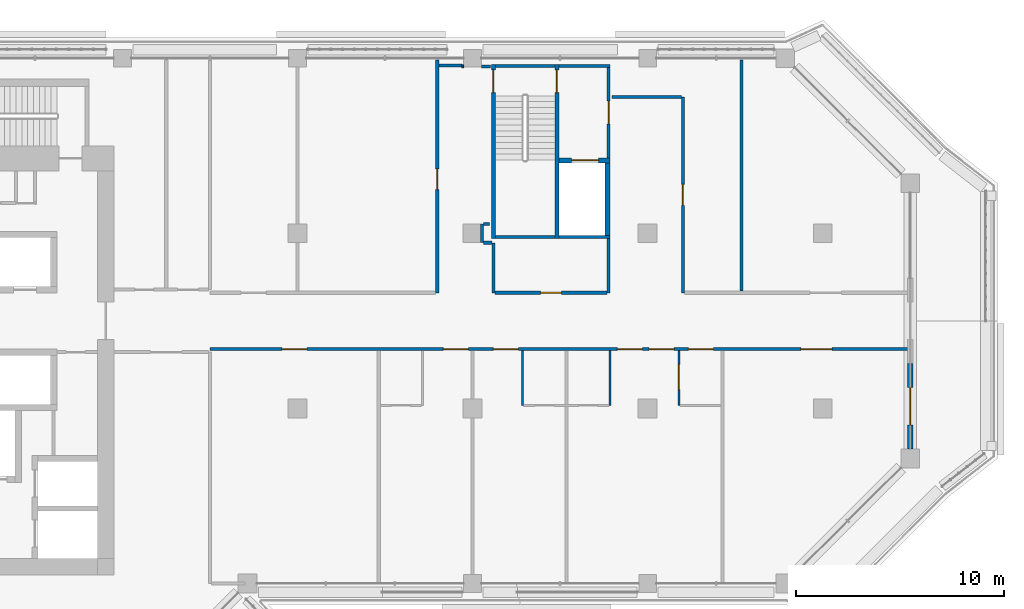
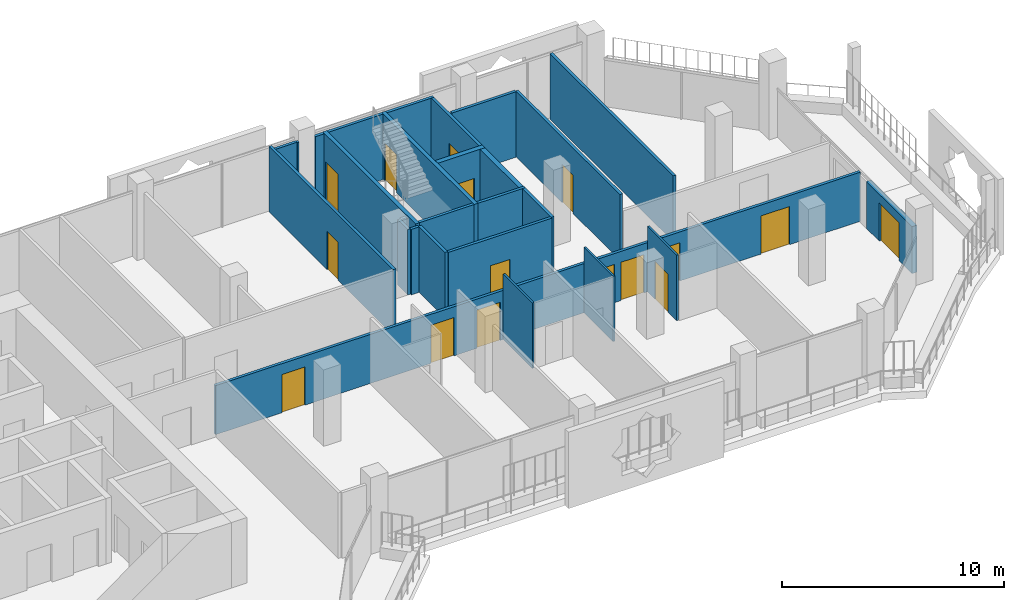
# One storey, part 13 of 22: 27 walls, 16 doors, 16 openings.
"""IFC4 building model written with IfcOpenShell, lengths in metres."""

from ifc_helpers import new_model, si_unit, direction, frame, frame_2d, origin, place, context, subcontext, project, spatial, rectangle, extrude, material, layer, layer_set, type_object, element, fill, save


model = new_model("IFC4")

# Units and contexts
model_context = context("Model", 3, precision=1e-05, world=origin(), true_north=direction((0.0, 1.0)))
body_context = subcontext(model_context, "Body", "Model", "MODEL_VIEW")
ifc_project = project(units=[si_unit("LENGTHUNIT", "METRE"), si_unit("AREAUNIT", "SQUARE_METRE"), si_unit("VOLUMEUNIT", "CUBIC_METRE"), si_unit("PLANEANGLEUNIT", "RADIAN"), si_unit("MASSUNIT", "GRAM", prefix="KILO")], contexts=[model_context])

# Site, building, storey
site_placement = place(None, origin())
site = spatial("IfcSite", under=ifc_project, at=site_placement, CompositionType="ELEMENT")
building_placement = place(site_placement, origin())
building = spatial("IfcBuilding", under=site, at=building_placement, Name="Kawkab Arch Medical Tower", CompositionType="ELEMENT")
storey_placement = place(building_placement, frame((0.0, 0.0, 255.800048828125)))
storey = spatial("IfcBuildingStorey", under=building, at=storey_placement, Name="L59", CompositionType="ELEMENT", Elevation=255.800048828125)

# Wall, opening, door
ifc_material_1 = material(Name="Gypsum board on steel studs", Category="steel")
ifc_layer_1 = layer(ifc_material_1, 0.14990234375)
ifc_layer_set_1 = layer_set([ifc_layer_1], Name="Gypsum board on steel studs")
wall_type_1 = type_object("IfcWallType", Name="Core room partition 150", PredefinedType="PARTITIONING", material=ifc_layer_set_1)
wall_1_placement = place(storey_placement, frame((48.52490234375, -4.77490234375, 0.0), z_axis=(0.0, 0.0, 1.0), x_axis=(0.0, 1.0, 0.0)))
wall_1 = element("IfcWall", 1, at=wall_1_placement, inside=storey, type_object=wall_type_1, Name="L59 core room partition", PredefinedType="PARTITIONING", context=body_context, shape_type="SweptSolid", body=[
    extrude(rectangle(XDim=4.324951171875, YDim=0.14990234375, at=frame_2d((2.16259765625, 0.0))), origin(), (0.0, 0.0, 1.0), 3.599853515625),
])
opening_1_placement = place(wall_1_placement, frame((1.625, 0.0, 0.0)))
opening_1 = element("IfcOpeningElement", 2, at=opening_1_placement, cuts=wall_1, Name="Opening FD", PredefinedType="OPENING", context=body_context, shape_type="SweptSolid", body=[
    extrude(rectangle(XDim=1.10009765625, YDim=2.10009765625, at=frame_2d((0.550048828125, 1.050048828125))), frame((0.0, 0.0849609375, 0.0), z_axis=(0.0, -1.0, 0.0), x_axis=(1.0, 0.0, 0.0)), (0.0, 0.0, 1.0), 0.169921875),
])
ifc_material_2 = material(Name="Hollow metal fire door leaf")
door_type_1 = type_object("IfcDoorType", Name="Firefighting lobby door 1100", OperationType="SINGLE_SWING_LEFT", PredefinedType="DOOR", material=ifc_material_2)
door_1_placement = place(opening_1_placement, origin())
door_1 = element("IfcDoor", 3, at=door_1_placement, inside=storey, type_object=door_type_1, Name="L59 Service lift lobby door SV1", OperationType="SINGLE_SWING_LEFT", OverallHeight=2.10009765625, OverallWidth=1.10009765625, PredefinedType="DOOR", context=body_context, shape_type="SweptSolid", body=[
    extrude(rectangle(XDim=1.10009765625, YDim=2.10009765625, at=frame_2d((0.550048828125, 1.050048828125))), frame((0.0, 0.02490234375, 0.0), z_axis=(0.0, -1.0, 0.0), x_axis=(1.0, 0.0, 0.0)), (0.0, 0.0, 1.0), 0.050048828125),
])
fill(opening_1, door_1)

ifc_material_3 = material(Name="Concrete C60/75", Category="concrete")
ifc_layer_2 = layer(ifc_material_3, 0.25)
ifc_layer_set_2 = layer_set([ifc_layer_2], Name="Concrete C60/75")
wall_type_2 = type_object("IfcWallType", Name="Core shear wall 250 C60/75", PredefinedType="SHEAR", material=ifc_layer_set_2)
wall_2_placement = place(storey_placement, frame((46.14990234375, -4.89990234375, 0.0), z_axis=(0.0, 0.0, 1.0), x_axis=(1.0, 0.0, 0.0)))
wall_2 = element("IfcWall", 4, at=wall_2_placement, inside=storey, type_object=wall_type_2, Name="L59 core shear wall", PredefinedType="SHEAR", context=body_context, shape_type="SweptSolid", body=[
    extrude(rectangle(XDim=2.4501953125, YDim=0.25, at=frame_2d((1.22509765625, 0.0))), origin(), (0.0, 0.0, 1.0), 3.599853515625),
])
opening_2_placement = place(wall_2_placement, frame((0.60009765625, 0.0, 0.0)))
opening_2 = element("IfcOpeningElement", 5, at=opening_2_placement, cuts=wall_2, Name="Opening LD2", PredefinedType="OPENING", context=body_context, shape_type="SweptSolid", body=[
    extrude(rectangle(XDim=1.300048828125, YDim=2.10009765625, at=frame_2d((0.64990234375, 1.050048828125))), frame((0.0, 0.135009765625, 0.0), z_axis=(0.0, -1.0, 0.0), x_axis=(1.0, 0.0, 0.0)), (0.0, 0.0, 1.0), 0.27001953125),
])
ifc_material_4 = material(Name="Stainless steel lift door leaf", Category="steel")
door_type_2 = type_object("IfcDoorType", Name="Lift landing door 1300", OperationType="DOUBLE_DOOR_SLIDING", PredefinedType="DOOR", material=ifc_material_4)
door_2_placement = place(opening_2_placement, origin())
door_2 = element("IfcDoor", 6, at=door_2_placement, inside=storey, type_object=door_type_2, Name="L59 Lift landing door SV1", OperationType="DOUBLE_DOOR_SLIDING", OverallHeight=2.10009765625, OverallWidth=1.300048828125, PredefinedType="DOOR", context=body_context, shape_type="SweptSolid", body=[
    extrude(rectangle(XDim=1.300048828125, YDim=2.10009765625, at=frame_2d((0.64990234375, 1.050048828125))), frame((0.0, 0.02490234375, 0.0), z_axis=(0.0, -1.0, 0.0), x_axis=(1.0, 0.0, 0.0)), (0.0, 0.0, 1.0), 0.050048828125),
])
fill(opening_2, door_2)

# Wall
wall_3_placement = place(storey_placement, frame((48.47509765625, -8.5, 0.0), z_axis=(0.0, 0.0, 1.0), x_axis=(0.0, 1.0, 0.0)))
element("IfcWall", 7, at=wall_3_placement, inside=storey, type_object=wall_type_2, Name="L59 core shear wall", PredefinedType="SHEAR", context=body_context, shape_type="SweptSolid", body=[
    extrude(rectangle(XDim=3.47509765625, YDim=0.25, at=frame_2d((1.737548828125, 0.0))), origin(), (0.0, 0.0, 1.0), 3.599853515625),
])

# Wall, opening, door
ifc_material_5 = material(Name="Bronze clad insulated wall panel")
ifc_layer_3 = layer(ifc_material_5, 0.25)
ifc_layer_set_3 = layer_set([ifc_layer_3], Name="Bronze clad insulated wall panel")
wall_type_3 = type_object("IfcWallType", Name="External wall bay 250", PredefinedType="SOLIDWALL", material=ifc_layer_set_3)
wall_4_placement = place(storey_placement, frame((63.0, -18.75, 0.0), z_axis=(0.0, 0.0, 1.0), x_axis=(0.0, 1.0, 0.0)))
wall_4 = element("IfcWall", 8, at=wall_4_placement, inside=storey, type_object=wall_type_3, Name="External wall bay L59.R09.1.1", PredefinedType="SOLIDWALL", context=body_context, shape_type="SweptSolid", body=[
    extrude(rectangle(XDim=4.10009765625, YDim=0.25, at=frame_2d((2.050048828125, 0.0))), origin(), (0.0, 0.0, 1.0), 2.579833984375),
])
opening_3_placement = place(wall_4_placement, frame((1.14990234375, 0.0, 0.0)))
opening_3 = element("IfcOpeningElement", 9, at=opening_3_placement, cuts=wall_4, Name="Opening W54-702", PredefinedType="OPENING", context=body_context, shape_type="SweptSolid", body=[
    extrude(rectangle(XDim=1.800048828125, YDim=2.10009765625, at=frame_2d((0.89990234375, 1.050048828125))), frame((0.0, 0.135009765625, 0.0), z_axis=(0.0, -1.0, 0.0), x_axis=(1.0, 0.0, 0.0)), (0.0, 0.0, 1.0), 0.27001953125),
])
ifc_material_6 = material(Name="Bronze anodised aluminium door with tinted glass", Category="aluminium")
door_type_3 = type_object("IfcDoorType", Name="Double external door 1800 x 2100", OperationType="DOUBLE_DOOR_SINGLE_SWING", PredefinedType="DOOR", material=ifc_material_6)
door_3_placement = place(opening_3_placement, origin())
door_3 = element("IfcDoor", 10, at=door_3_placement, inside=storey, type_object=door_type_3, Name="External door L59.R09.1.1", OperationType="DOUBLE_DOOR_SINGLE_SWING", OverallHeight=2.10009765625, OverallWidth=1.800048828125, PredefinedType="DOOR", context=body_context, shape_type="SweptSolid", body=[
    extrude(rectangle(XDim=1.800048828125, YDim=2.10009765625, at=frame_2d((0.89990234375, 1.050048828125))), frame((0.0, 0.02490234375, 0.0), z_axis=(0.0, -1.0, 0.0), x_axis=(1.0, 0.0, 0.0)), (0.0, 0.0, 1.0), 0.050048828125),
])
fill(opening_3, door_3)

# Walls
ifc_material_7 = material(Name="Gypsum board partition on steel studs", Category="steel")
ifc_layer_4 = layer(ifc_material_7, 0.10009765625)
ifc_layer_set_4 = layer_set([ifc_layer_4], Name="Gypsum board partition on steel studs")
wall_type_4 = type_object("IfcWallType", Name="Partition 100", PredefinedType="PARTITIONING", material=ifc_layer_set_4)
for number, where, z_axis, x_axis, name in (
    (11, (44.39990234375, -16.64990234375, 0.0), (0.0, 0.0, 1.0), (0.0, 1.0, 0.0), "Partition 100 w005"),
    (12, (48.60009765625, -16.64990234375, 0.0), (0.0, 0.0, 1.0), (0.0, 1.0, 0.0), "Partition 100 w006"),
):
    element("IfcWall", number, at=place(storey_placement, frame(where, z_axis=z_axis, x_axis=x_axis)), inside=storey, type_object=wall_type_4, Name=name, PredefinedType="PARTITIONING", context=body_context, shape_type="SweptSolid", body=[
        extrude(rectangle(XDim=2.625, YDim=0.10009765625, at=frame_2d((1.3125, 0.0))), origin(), (0.0, 0.0, 1.0), 3.599853515625),
    ])

# Wall, opening, door
wall_5_placement = place(storey_placement, frame((51.89990234375, -16.64990234375, 0.0), z_axis=(0.0, 0.0, 1.0), x_axis=(0.0, 1.0, 0.0)))
wall_5 = element("IfcWall", 13, at=wall_5_placement, inside=storey, type_object=wall_type_4, Name="Partition 100 w007", PredefinedType="PARTITIONING", context=body_context, shape_type="SweptSolid", body=[
    extrude(rectangle(XDim=2.625, YDim=0.10009765625, at=frame_2d((1.3125, 0.0))), origin(), (0.0, 0.0, 1.0), 3.599853515625),
])
opening_4_placement = place(wall_5_placement, frame((0.75, 0.0, 0.0)))
opening_4 = element("IfcOpeningElement", 14, at=opening_4_placement, cuts=wall_5, Name="Opening W54-026", PredefinedType="OPENING", context=body_context, shape_type="SweptSolid", body=[
    extrude(rectangle(XDim=1.199951171875, YDim=2.10009765625, at=frame_2d((0.60009765625, 1.050048828125))), frame((0.0, 0.06005859375, 0.0), z_axis=(0.0, -1.0, 0.0), x_axis=(1.0, 0.0, 0.0)), (0.0, 0.0, 1.0), 0.1201171875),
])
ifc_material_8 = material(Name="Timber door leaf", Category="wood")
door_type_4 = type_object("IfcDoorType", Name="Single door 1200x2100", OperationType="NOTDEFINED", PredefinedType="DOOR", material=ifc_material_8)
door_4_placement = place(opening_4_placement, origin())
door_4 = element("IfcDoor", 15, at=door_4_placement, inside=storey, type_object=door_type_4, Name="Door W54-026", OperationType="SINGLE_SWING_RIGHT", OverallHeight=2.10009765625, OverallWidth=1.199951171875, PredefinedType="DOOR", context=body_context, shape_type="SweptSolid", body=[
    extrude(rectangle(XDim=1.199951171875, YDim=2.10009765625, at=frame_2d((0.60009765625, 1.050048828125))), frame((0.0, 0.02490234375, 0.0), z_axis=(0.0, -1.0, 0.0), x_axis=(1.0, 0.0, 0.0)), (0.0, 0.0, 1.0), 0.050048828125),
])
fill(opening_4, door_4)

# Wall, openings, doors
ifc_material_9 = material(Name="Gypsum board partition on steel studs, mineral wool", Category="steel")
ifc_layer_5 = layer(ifc_material_9, 0.14990234375)
ifc_layer_set_5 = layer_set([ifc_layer_5], Name="Gypsum board partition on steel studs, mineral wool")
wall_type_5 = type_object("IfcWallType", Name="Partition 150", PredefinedType="PARTITIONING", material=ifc_layer_set_5)
wall_6_placement = place(storey_placement, frame((29.39990234375, -13.949951171875, 0.0), z_axis=(0.0, 0.0, 1.0), x_axis=(1.0, 0.0, 0.0)))
wall_6 = element("IfcWall", 16, at=wall_6_placement, inside=storey, type_object=wall_type_5, Name="Partition 150 w021", PredefinedType="PARTITIONING", context=body_context, shape_type="SweptSolid", body=[
    extrude(rectangle(XDim=33.52001953125, YDim=0.14990234375, at=frame_2d((16.760009765625, 0.0))), origin(), (0.0, 0.0, 1.0), 2.699951171875),
])
opening_5_placement = place(wall_6_placement, frame((3.449951171875, 0.0, 0.0)))
opening_5 = element("IfcOpeningElement", 17, at=opening_5_placement, cuts=wall_6, Name="Opening W54-020", PredefinedType="OPENING", context=body_context, shape_type="SweptSolid", body=[
    extrude(rectangle(XDim=1.199951171875, YDim=2.10009765625, at=frame_2d((0.60009765625, 1.050048828125))), frame((0.0, 0.0849609375, 0.0), z_axis=(0.0, -1.0, 0.0), x_axis=(1.0, 0.0, 0.0)), (0.0, 0.0, 1.0), 0.169921875),
])
opening_6_placement = place(wall_6_placement, frame((11.199951171875, 0.0, 0.0)))
opening_6 = element("IfcOpeningElement", 18, at=opening_6_placement, cuts=wall_6, Name="Opening W54-021", PredefinedType="OPENING", context=body_context, shape_type="SweptSolid", body=[
    extrude(rectangle(XDim=1.199951171875, YDim=2.10009765625, at=frame_2d((0.60009765625, 1.050048828125))), frame((0.0, 0.0849609375, 0.0), z_axis=(0.0, -1.0, 0.0), x_axis=(1.0, 0.0, 0.0)), (0.0, 0.0, 1.0), 0.169921875),
])
opening_7_placement = place(wall_6_placement, frame((13.60009765625, 0.0, 0.0)))
opening_7 = element("IfcOpeningElement", 19, at=opening_7_placement, cuts=wall_6, Name="Opening W54-022", PredefinedType="OPENING", context=body_context, shape_type="SweptSolid", body=[
    extrude(rectangle(XDim=1.199951171875, YDim=2.10009765625, at=frame_2d((0.60009765625, 1.050048828125))), frame((0.0, 0.0849609375, 0.0), z_axis=(0.0, -1.0, 0.0), x_axis=(1.0, 0.0, 0.0)), (0.0, 0.0, 1.0), 0.169921875),
])
opening_8_placement = place(wall_6_placement, frame((21.074951171875, 0.0, 0.0)))
opening_8 = element("IfcOpeningElement", 20, at=opening_8_placement, cuts=wall_6, Name="Opening W54-023", PredefinedType="OPENING", context=body_context, shape_type="SweptSolid", body=[
    extrude(rectangle(XDim=1.199951171875, YDim=2.10009765625, at=frame_2d((0.60009765625, 1.050048828125))), frame((0.0, 0.0849609375, 0.0), z_axis=(0.0, -1.0, 0.0), x_axis=(1.0, 0.0, 0.0)), (0.0, 0.0, 1.0), 0.169921875),
])
opening_9_placement = place(wall_6_placement, frame((19.550048828125, 0.0, 0.0)))
opening_9 = element("IfcOpeningElement", 21, at=opening_9_placement, cuts=wall_6, Name="Opening W54-024", PredefinedType="OPENING", context=body_context, shape_type="SweptSolid", body=[
    extrude(rectangle(XDim=1.199951171875, YDim=2.10009765625, at=frame_2d((0.60009765625, 1.050048828125))), frame((0.0, 0.0849609375, 0.0), z_axis=(0.0, -1.0, 0.0), x_axis=(1.0, 0.0, 0.0)), (0.0, 0.0, 1.0), 0.169921875),
])
opening_10_placement = place(wall_6_placement, frame((22.949951171875, 0.0, 0.0)))
opening_10 = element("IfcOpeningElement", 22, at=opening_10_placement, cuts=wall_6, Name="Opening W54-025", PredefinedType="OPENING", context=body_context, shape_type="SweptSolid", body=[
    extrude(rectangle(XDim=1.199951171875, YDim=2.10009765625, at=frame_2d((0.60009765625, 1.050048828125))), frame((0.0, 0.0849609375, 0.0), z_axis=(0.0, -1.0, 0.0), x_axis=(1.0, 0.0, 0.0)), (0.0, 0.0, 1.0), 0.169921875),
])
opening_11_placement = place(wall_6_placement, frame((28.35009765625, 0.0, 0.0)))
opening_11 = element("IfcOpeningElement", 23, at=opening_11_placement, cuts=wall_6, Name="Opening W54-003", PredefinedType="OPENING", context=body_context, shape_type="SweptSolid", body=[
    extrude(rectangle(XDim=1.5, YDim=2.10009765625, at=frame_2d((0.75, 1.050048828125))), frame((0.0, 0.0849609375, 0.0), z_axis=(0.0, -1.0, 0.0), x_axis=(1.0, 0.0, 0.0)), (0.0, 0.0, 1.0), 0.169921875),
])
ifc_material_10 = material(Name="Hollow metal door leaf")
door_type_5 = type_object("IfcDoorType", Name="Double door 1500x2100 FD30S", OperationType="NOTDEFINED", PredefinedType="DOOR", material=ifc_material_10)
door_5_placement = place(opening_11_placement, origin())
door_5 = element("IfcDoor", 24, at=door_5_placement, inside=storey, type_object=door_type_5, Name="Door W54-003", OperationType="DOUBLE_DOOR_SINGLE_SWING", OverallHeight=2.10009765625, OverallWidth=1.5, PredefinedType="DOOR", context=body_context, shape_type="SweptSolid", body=[
    extrude(rectangle(XDim=1.5, YDim=2.10009765625, at=frame_2d((0.75, 1.050048828125))), frame((0.0, 0.02490234375, 0.0), z_axis=(0.0, -1.0, 0.0), x_axis=(1.0, 0.0, 0.0)), (0.0, 0.0, 1.0), 0.050048828125),
])
fill(opening_11, door_5)
ifc_material_11 = material(Name="Hollow metal door leaf")
door_type_6 = type_object("IfcDoorType", Name="Single door 1200x2100 FD30S", OperationType="NOTDEFINED", PredefinedType="DOOR", material=ifc_material_11)
door_6_placement = place(opening_5_placement, origin())
door_6 = element("IfcDoor", 25, at=door_6_placement, inside=storey, type_object=door_type_6, Name="Door W54-020", OperationType="SINGLE_SWING_RIGHT", OverallHeight=2.10009765625, OverallWidth=1.199951171875, PredefinedType="DOOR", context=body_context, shape_type="SweptSolid", body=[
    extrude(rectangle(XDim=1.199951171875, YDim=2.10009765625, at=frame_2d((0.60009765625, 1.050048828125))), frame((0.0, 0.02490234375, 0.0), z_axis=(0.0, -1.0, 0.0), x_axis=(1.0, 0.0, 0.0)), (0.0, 0.0, 1.0), 0.050048828125),
])
fill(opening_5, door_6)
door_7_placement = place(opening_6_placement, origin())
door_7 = element("IfcDoor", 26, at=door_7_placement, inside=storey, type_object=door_type_6, Name="Door W54-021", OperationType="SINGLE_SWING_RIGHT", OverallHeight=2.10009765625, OverallWidth=1.199951171875, PredefinedType="DOOR", context=body_context, shape_type="SweptSolid", body=[
    extrude(rectangle(XDim=1.199951171875, YDim=2.10009765625, at=frame_2d((0.60009765625, 1.050048828125))), frame((0.0, 0.02490234375, 0.0), z_axis=(0.0, -1.0, 0.0), x_axis=(1.0, 0.0, 0.0)), (0.0, 0.0, 1.0), 0.050048828125),
])
fill(opening_6, door_7)
door_8_placement = place(opening_7_placement, origin())
door_8 = element("IfcDoor", 27, at=door_8_placement, inside=storey, type_object=door_type_6, Name="Door W54-022", OperationType="SINGLE_SWING_RIGHT", OverallHeight=2.10009765625, OverallWidth=1.199951171875, PredefinedType="DOOR", context=body_context, shape_type="SweptSolid", body=[
    extrude(rectangle(XDim=1.199951171875, YDim=2.10009765625, at=frame_2d((0.60009765625, 1.050048828125))), frame((0.0, 0.02490234375, 0.0), z_axis=(0.0, -1.0, 0.0), x_axis=(1.0, 0.0, 0.0)), (0.0, 0.0, 1.0), 0.050048828125),
])
fill(opening_7, door_8)
door_9_placement = place(opening_8_placement, origin())
door_9 = element("IfcDoor", 28, at=door_9_placement, inside=storey, type_object=door_type_6, Name="Door W54-023", OperationType="SINGLE_SWING_LEFT", OverallHeight=2.10009765625, OverallWidth=1.199951171875, PredefinedType="DOOR", context=body_context, shape_type="SweptSolid", body=[
    extrude(rectangle(XDim=1.199951171875, YDim=2.10009765625, at=frame_2d((0.60009765625, 1.050048828125))), frame((0.0, 0.02490234375, 0.0), z_axis=(0.0, -1.0, 0.0), x_axis=(1.0, 0.0, 0.0)), (0.0, 0.0, 1.0), 0.050048828125),
])
fill(opening_8, door_9)
door_10_placement = place(opening_9_placement, origin())
door_10 = element("IfcDoor", 29, at=door_10_placement, inside=storey, type_object=door_type_6, Name="Door W54-024", OperationType="SINGLE_SWING_LEFT", OverallHeight=2.10009765625, OverallWidth=1.199951171875, PredefinedType="DOOR", context=body_context, shape_type="SweptSolid", body=[
    extrude(rectangle(XDim=1.199951171875, YDim=2.10009765625, at=frame_2d((0.60009765625, 1.050048828125))), frame((0.0, 0.02490234375, 0.0), z_axis=(0.0, -1.0, 0.0), x_axis=(1.0, 0.0, 0.0)), (0.0, 0.0, 1.0), 0.050048828125),
])
fill(opening_9, door_10)
door_11_placement = place(opening_10_placement, origin())
door_11 = element("IfcDoor", 30, at=door_11_placement, inside=storey, type_object=door_type_6, Name="Door W54-025", OperationType="SINGLE_SWING_LEFT", OverallHeight=2.10009765625, OverallWidth=1.199951171875, PredefinedType="DOOR", context=body_context, shape_type="SweptSolid", body=[
    extrude(rectangle(XDim=1.199951171875, YDim=2.10009765625, at=frame_2d((0.60009765625, 1.050048828125))), frame((0.0, 0.02490234375, 0.0), z_axis=(0.0, -1.0, 0.0), x_axis=(1.0, 0.0, 0.0)), (0.0, 0.0, 1.0), 0.050048828125),
])
fill(opening_10, door_11)

# Wall, opening, door
wall_7_placement = place(storey_placement, frame((43.074951171875, -11.25, 0.0), z_axis=(0.0, 0.0, 1.0), x_axis=(1.0, 0.0, 0.0)))
wall_7 = element("IfcWall", 31, at=wall_7_placement, inside=storey, type_object=wall_type_5, Name="Partition 150 w023", PredefinedType="PARTITIONING", context=body_context, shape_type="SweptSolid", body=[
    extrude(rectangle(XDim=5.375, YDim=0.14990234375, at=frame_2d((2.6875, 0.0))), origin(), (0.0, 0.0, 1.0), 3.599853515625),
])
opening_12_placement = place(wall_7_placement, frame((2.18798828125, 0.0, 0.0)))
opening_12 = element("IfcOpeningElement", 32, at=opening_12_placement, cuts=wall_7, Name="Opening W54-010", PredefinedType="OPENING", context=body_context, shape_type="SweptSolid", body=[
    extrude(rectangle(XDim=1.0, YDim=2.10009765625, at=frame_2d((0.5, 1.050048828125))), frame((0.0, 0.0849609375, 0.0), z_axis=(0.0, -1.0, 0.0), x_axis=(1.0, 0.0, 0.0)), (0.0, 0.0, 1.0), 0.169921875),
])
ifc_material_12 = material(Name="Hollow metal door leaf")
door_type_7 = type_object("IfcDoorType", Name="Single door 1000x2100 FD30S", OperationType="NOTDEFINED", PredefinedType="DOOR", material=ifc_material_12)
door_12_placement = place(opening_12_placement, origin())
door_12 = element("IfcDoor", 33, at=door_12_placement, inside=storey, type_object=door_type_7, Name="Door W54-010", OperationType="SINGLE_SWING_LEFT", OverallHeight=2.10009765625, OverallWidth=1.0, PredefinedType="DOOR", context=body_context, shape_type="SweptSolid", body=[
    extrude(rectangle(XDim=1.0, YDim=2.10009765625, at=frame_2d((0.5, 1.050048828125))), frame((0.0, 0.02490234375, 0.0), z_axis=(0.0, -1.0, 0.0), x_axis=(1.0, 0.0, 0.0)), (0.0, 0.0, 1.0), 0.050048828125),
])
fill(opening_12, door_12)

# Walls
wall_8_placement = place(storey_placement, frame((42.52490234375, -8.85009765625, 0.0), z_axis=(0.0, 0.0, 1.0), x_axis=(1.0, 0.0, 0.0)))
element("IfcWall", 34, at=wall_8_placement, inside=storey, type_object=wall_type_5, Name="Partition 150 w026", PredefinedType="PARTITIONING", context=body_context, shape_type="SweptSolid", body=[
    extrude(rectangle(XDim=0.398193359375, YDim=0.14990234375, at=frame_2d((0.19921875, 0.0))), origin(), (0.0, 0.0, 1.0), 3.599853515625),
])
wall_9_placement = place(storey_placement, frame((42.52587890625, -7.949951171875, 0.0), z_axis=(0.0, 0.0, 1.0), x_axis=(1.0, 0.0, 0.0)))
element("IfcWall", 35, at=wall_9_placement, inside=storey, type_object=wall_type_5, Name="Partition 150 w027", PredefinedType="PARTITIONING", context=body_context, shape_type="SweptSolid", body=[
    extrude(rectangle(XDim=0.294189453125, YDim=0.14990234375, at=frame_2d((0.14697265625, 0.0))), origin(), (0.0, 0.0, 1.0), 3.599853515625),
])
wall_10_placement = place(storey_placement, frame((48.679931640625, -1.85009765625, 0.0), z_axis=(0.0, 0.0, 1.0), x_axis=(1.0, 0.0, 0.0)))
element("IfcWall", 36, at=wall_10_placement, inside=storey, type_object=wall_type_5, Name="Partition 150 w028", PredefinedType="PARTITIONING", context=body_context, shape_type="SweptSolid", body=[
    extrude(rectangle(XDim=3.337158203125, YDim=0.14990234375, at=frame_2d((1.66845703125, 0.0))), origin(), (0.0, 0.0, 1.0), 3.599853515625),
])
wall_11_placement = place(storey_placement, frame((41.488037109375, -0.386962890625, 0.0), z_axis=(0.0, 0.0, 1.0), x_axis=(1.0, 0.0, 0.0)))
element("IfcWall", 37, at=wall_11_placement, inside=storey, type_object=wall_type_5, Name="Partition 150 w029", PredefinedType="PARTITIONING", context=body_context, shape_type="SweptSolid", body=[
    extrude(rectangle(XDim=0.0869140625, YDim=0.14990234375, at=frame_2d((0.04345703125, 0.0))), origin(), (0.0, 0.0, 1.0), 3.599853515625),
])
wall_12_placement = place(storey_placement, frame((42.425048828125, -0.386962890625, 0.0), z_axis=(0.0, 0.0, 1.0), x_axis=(1.0, 0.0, 0.0)))
element("IfcWall", 38, at=wall_12_placement, inside=storey, type_object=wall_type_5, Name="Partition 150 w030", PredefinedType="PARTITIONING", context=body_context, shape_type="SweptSolid", body=[
    extrude(rectangle(XDim=0.445068359375, YDim=0.14990234375, at=frame_2d((0.22265625, 0.0))), origin(), (0.0, 0.0, 1.0), 3.599853515625),
])
wall_13_placement = place(storey_placement, frame((40.382080078125, -0.35009765625, 0.0), z_axis=(0.0, 0.0, 1.0), x_axis=(1.0, 0.0, 0.0)))
element("IfcWall", 39, at=wall_13_placement, inside=storey, type_object=wall_type_5, Name="Partition 150 w031", PredefinedType="PARTITIONING", context=body_context, shape_type="SweptSolid", body=[
    extrude(rectangle(XDim=1.10595703125, YDim=0.14990234375, at=frame_2d((0.552978515625, 0.0))), origin(), (0.0, 0.0, 1.0), 3.599853515625),
])

# Wall, opening, door
wall_14_placement = place(storey_placement, frame((40.306884765625, -11.25, 0.0), z_axis=(0.0, 0.0, 1.0), x_axis=(0.0, 1.0, 0.0)))
wall_14 = element("IfcWall", 40, at=wall_14_placement, inside=storey, type_object=wall_type_5, Name="Partition 150 w048", PredefinedType="PARTITIONING", context=body_context, shape_type="SweptSolid", body=[
    extrude(rectangle(XDim=11.169921875, YDim=0.14990234375, at=frame_2d((5.5849609375, 0.0))), origin(), (0.0, 0.0, 1.0), 3.599853515625),
])
opening_13_placement = place(wall_14_placement, frame((4.949951171875, 0.0, 0.0)))
opening_13 = element("IfcOpeningElement", 41, at=opening_13_placement, cuts=wall_14, Name="Opening W54-009", PredefinedType="OPENING", context=body_context, shape_type="SweptSolid", body=[
    extrude(rectangle(XDim=1.0, YDim=2.10009765625, at=frame_2d((0.5, 1.050048828125))), frame((0.0, 0.0849609375, 0.0), z_axis=(0.0, -1.0, 0.0), x_axis=(1.0, 0.0, 0.0)), (0.0, 0.0, 1.0), 0.169921875),
])
door_13_placement = place(opening_13_placement, origin())
door_13 = element("IfcDoor", 42, at=door_13_placement, inside=storey, type_object=door_type_7, Name="Door W54-009", OperationType="SINGLE_SWING_RIGHT", OverallHeight=2.10009765625, OverallWidth=1.0, PredefinedType="DOOR", context=body_context, shape_type="SweptSolid", body=[
    extrude(rectangle(XDim=1.0, YDim=2.10009765625, at=frame_2d((0.5, 1.050048828125))), frame((0.0, 0.02490234375, 0.0), z_axis=(0.0, -1.0, 0.0), x_axis=(1.0, 0.0, 0.0)), (0.0, 0.0, 1.0), 0.050048828125),
])
fill(opening_13, door_13)

# Walls
wall_15_placement = place(storey_placement, frame((42.449951171875, -8.85009765625, 0.0), z_axis=(0.0, 0.0, 1.0), x_axis=(0.0, 1.0, 0.0)))
element("IfcWall", 43, at=wall_15_placement, inside=storey, type_object=wall_type_5, Name="Partition 150 w050", PredefinedType="PARTITIONING", context=body_context, shape_type="SweptSolid", body=[
    extrude(rectangle(XDim=0.899169921875, YDim=0.14990234375, at=frame_2d((0.44970703125, 0.0))), origin(), (0.0, 0.0, 1.0), 3.599853515625),
])
wall_16_placement = place(storey_placement, frame((43.0, -11.25, 0.0), z_axis=(0.0, 0.0, 1.0), x_axis=(0.0, 1.0, 0.0)))
element("IfcWall", 44, at=wall_16_placement, inside=storey, type_object=wall_type_5, Name="Partition 150 w051", PredefinedType="PARTITIONING", context=body_context, shape_type="SweptSolid", body=[
    extrude(rectangle(XDim=2.39794921875, YDim=0.14990234375, at=frame_2d((1.198974609375, 0.0))), origin(), (0.0, 0.0, 1.0), 3.599853515625),
])
wall_17_placement = place(storey_placement, frame((48.52490234375, -11.25, 0.0), z_axis=(0.0, 0.0, 1.0), x_axis=(0.0, 1.0, 0.0)))
element("IfcWall", 45, at=wall_17_placement, inside=storey, type_object=wall_type_5, Name="Partition 150 w053", PredefinedType="PARTITIONING", context=body_context, shape_type="SweptSolid", body=[
    extrude(rectangle(XDim=2.60009765625, YDim=0.14990234375, at=frame_2d((1.300048828125, 0.0))), origin(), (0.0, 0.0, 1.0), 3.599853515625),
])

# Wall, opening, door
wall_18_placement = place(storey_placement, frame((52.093017578125, -11.25, 0.0), z_axis=(0.0, 0.0, 1.0), x_axis=(0.0, 1.0, 0.0)))
wall_18 = element("IfcWall", 46, at=wall_18_placement, inside=storey, type_object=wall_type_5, Name="Partition 150 w054", PredefinedType="PARTITIONING", context=body_context, shape_type="SweptSolid", body=[
    extrude(rectangle(XDim=9.39794921875, YDim=0.14990234375, at=frame_2d((4.698974609375, 0.0))), origin(), (0.0, 0.0, 1.0), 3.599853515625),
])
opening_14_placement = place(wall_18_placement, frame((4.198974609375, 0.0, 0.0)))
opening_14 = element("IfcOpeningElement", 47, at=opening_14_placement, cuts=wall_18, Name="Opening W54-011", PredefinedType="OPENING", context=body_context, shape_type="SweptSolid", body=[
    extrude(rectangle(XDim=1.0, YDim=2.10009765625, at=frame_2d((0.5, 1.050048828125))), frame((0.0, 0.0849609375, 0.0), z_axis=(0.0, -1.0, 0.0), x_axis=(1.0, 0.0, 0.0)), (0.0, 0.0, 1.0), 0.169921875),
])
door_14_placement = place(opening_14_placement, origin())
door_14 = element("IfcDoor", 48, at=door_14_placement, inside=storey, type_object=door_type_7, Name="Door W54-011", OperationType="SINGLE_SWING_LEFT", OverallHeight=2.10009765625, OverallWidth=1.0, PredefinedType="DOOR", context=body_context, shape_type="SweptSolid", body=[
    extrude(rectangle(XDim=1.0, YDim=2.10009765625, at=frame_2d((0.5, 1.050048828125))), frame((0.0, 0.02490234375, 0.0), z_axis=(0.0, -1.0, 0.0), x_axis=(1.0, 0.0, 0.0)), (0.0, 0.0, 1.0), 0.050048828125),
])
fill(opening_14, door_14)

# Walls
wall_19_placement = place(storey_placement, frame((54.89990234375, -11.175048828125, 0.0), z_axis=(0.0, 0.0, 1.0), x_axis=(0.0, 1.0, 0.0)))
element("IfcWall", 49, at=wall_19_placement, inside=storey, type_object=wall_type_5, Name="Partition 150 w056", PredefinedType="PARTITIONING", context=body_context, shape_type="SweptSolid", body=[
    extrude(rectangle(XDim=11.094970703125, YDim=0.14990234375, at=frame_2d((5.54736328125, 0.0))), origin(), (0.0, 0.0, 1.0), 3.599853515625),
])
ifc_material_13 = material(Name="Concrete C50/60", Category="concrete")
ifc_layer_6 = layer(ifc_material_13, 0.14990234375)
ifc_layer_set_6 = layer_set([ifc_layer_6], Name="Concrete C50/60")
wall_type_6 = type_object("IfcWallType", Name="Stair enclosure wall 150 C50/60", PredefinedType="SHEAR", material=ifc_layer_set_6)
wall_20_placement = place(storey_placement, frame((43.10009765625, -0.375, 0.0), z_axis=(0.0, 0.0, 1.0), x_axis=(1.0, 0.0, 0.0)))
element("IfcWall", 50, at=wall_20_placement, inside=storey, type_object=wall_type_6, Name="L59 stair enclosure wall", PredefinedType="SHEAR", context=body_context, shape_type="SweptSolid", body=[
    extrude(rectangle(XDim=2.849853515625, YDim=0.14990234375, at=frame_2d((1.4248046875, 0.0))), origin(), (0.0, 0.0, 1.0), 3.599853515625),
])
wall_21_placement = place(storey_placement, frame((46.14990234375, -0.375, 0.0), z_axis=(0.0, 0.0, 1.0), x_axis=(1.0, 0.0, 0.0)))
element("IfcWall", 51, at=wall_21_placement, inside=storey, type_object=wall_type_6, Name="L59 stair enclosure wall", PredefinedType="SHEAR", context=body_context, shape_type="SweptSolid", body=[
    extrude(rectangle(XDim=2.4501953125, YDim=0.14990234375, at=frame_2d((1.22509765625, 0.0))), origin(), (0.0, 0.0, 1.0), 3.599853515625),
])
wall_22_placement = place(storey_placement, frame((43.10009765625, -8.574951171875, 0.0), z_axis=(0.0, 0.0, 1.0), x_axis=(1.0, 0.0, 0.0)))
element("IfcWall", 52, at=wall_22_placement, inside=storey, type_object=wall_type_6, Name="L59 stair enclosure wall", PredefinedType="SHEAR", context=body_context, shape_type="SweptSolid", body=[
    extrude(rectangle(XDim=2.849853515625, YDim=0.14990234375, at=frame_2d((1.4248046875, 0.0))), origin(), (0.0, 0.0, 1.0), 3.599853515625),
])
wall_23_placement = place(storey_placement, frame((46.14990234375, -8.574951171875, 0.0), z_axis=(0.0, 0.0, 1.0), x_axis=(1.0, 0.0, 0.0)))
element("IfcWall", 53, at=wall_23_placement, inside=storey, type_object=wall_type_6, Name="L59 stair enclosure wall", PredefinedType="SHEAR", context=body_context, shape_type="SweptSolid", body=[
    extrude(rectangle(XDim=2.4501953125, YDim=0.14990234375, at=frame_2d((1.22509765625, 0.0))), origin(), (0.0, 0.0, 1.0), 3.599853515625),
])

# Wall, opening, door
ifc_material_14 = material(Name="Concrete C50/60", Category="concrete")
ifc_layer_7 = layer(ifc_material_14, 0.199951171875)
ifc_layer_set_7 = layer_set([ifc_layer_7], Name="Concrete C50/60")
wall_type_7 = type_object("IfcWallType", Name="Stair enclosure wall 200 C50/60", PredefinedType="SHEAR", material=ifc_layer_set_7)
wall_24_placement = place(storey_placement, frame((43.0, -8.64990234375, 0.0), z_axis=(0.0, 0.0, 1.0), x_axis=(0.0, 1.0, 0.0)))
wall_24 = element("IfcWall", 54, at=wall_24_placement, inside=storey, type_object=wall_type_7, Name="L59 stair enclosure wall", PredefinedType="SHEAR", context=body_context, shape_type="SweptSolid", body=[
    extrude(rectangle(XDim=8.349853515625, YDim=0.199951171875, at=frame_2d((4.1748046875, 0.0))), origin(), (0.0, 0.0, 1.0), 3.599853515625),
])
opening_15_placement = place(wall_24_placement, frame((7.0, 0.0, 0.0)))
opening_15 = element("IfcOpeningElement", 55, at=opening_15_placement, cuts=wall_24, Name="Opening SD", PredefinedType="OPENING", context=body_context, shape_type="SweptSolid", body=[
    extrude(rectangle(XDim=1.10009765625, YDim=2.10009765625, at=frame_2d((0.550048828125, 1.050048828125))), frame((0.0, 0.10986328125, 0.0), z_axis=(0.0, -1.0, 0.0), x_axis=(1.0, 0.0, 0.0)), (0.0, 0.0, 1.0), 0.219970703125),
])
ifc_material_15 = material(Name="Hollow metal fire door leaf")
door_type_8 = type_object("IfcDoorType", Name="Exit stair door 1100", OperationType="SINGLE_SWING_LEFT", PredefinedType="DOOR", material=ifc_material_15)
door_15_placement = place(opening_15_placement, frame((1.10009765625, 0.0, 0.0), z_axis=(0.0, 0.0, 1.0), x_axis=(-1.0, 0.0, 0.0)))
door_15 = element("IfcDoor", 56, at=door_15_placement, inside=storey, type_object=door_type_8, Name="L59 Exit stair ST5 door", OperationType="SINGLE_SWING_LEFT", OverallHeight=2.10009765625, OverallWidth=1.10009765625, PredefinedType="DOOR", context=body_context, shape_type="SweptSolid", body=[
    extrude(rectangle(XDim=1.10009765625, YDim=2.10009765625, at=frame_2d((0.550048828125, 1.050048828125))), frame((0.0, 0.02490234375, 0.0), z_axis=(0.0, -1.0, 0.0), x_axis=(1.0, 0.0, 0.0)), (0.0, 0.0, 1.0), 0.050048828125),
])
fill(opening_15, door_15)

wall_25_placement = place(storey_placement, frame((46.050048828125, -8.64990234375, 0.0), z_axis=(0.0, 0.0, 1.0), x_axis=(0.0, 1.0, 0.0)))
wall_25 = element("IfcWall", 57, at=wall_25_placement, inside=storey, type_object=wall_type_7, Name="L59 stair enclosure wall", PredefinedType="SHEAR", context=body_context, shape_type="SweptSolid", body=[
    extrude(rectangle(XDim=8.349853515625, YDim=0.199951171875, at=frame_2d((4.1748046875, 0.0))), origin(), (0.0, 0.0, 1.0), 3.599853515625),
])
opening_16_placement = place(wall_25_placement, frame((7.0, 0.0, 0.0)))
opening_16 = element("IfcOpeningElement", 58, at=opening_16_placement, cuts=wall_25, Name="Opening SD", PredefinedType="OPENING", context=body_context, shape_type="SweptSolid", body=[
    extrude(rectangle(XDim=1.10009765625, YDim=2.10009765625, at=frame_2d((0.550048828125, 1.050048828125))), frame((0.0, 0.10986328125, 0.0), z_axis=(0.0, -1.0, 0.0), x_axis=(1.0, 0.0, 0.0)), (0.0, 0.0, 1.0), 0.219970703125),
])
door_16_placement = place(opening_16_placement, origin())
door_16 = element("IfcDoor", 59, at=door_16_placement, inside=storey, type_object=door_type_8, Name="L59 Exit stair ST5 lobby door", OperationType="SINGLE_SWING_LEFT", OverallHeight=2.10009765625, OverallWidth=1.10009765625, PredefinedType="DOOR", context=body_context, shape_type="SweptSolid", body=[
    extrude(rectangle(XDim=1.10009765625, YDim=2.10009765625, at=frame_2d((0.550048828125, 1.050048828125))), frame((0.0, 0.02490234375, 0.0), z_axis=(0.0, -1.0, 0.0), x_axis=(1.0, 0.0, 0.0)), (0.0, 0.0, 1.0), 0.050048828125),
])
fill(opening_16, door_16)

save(model, "model.ifc")
